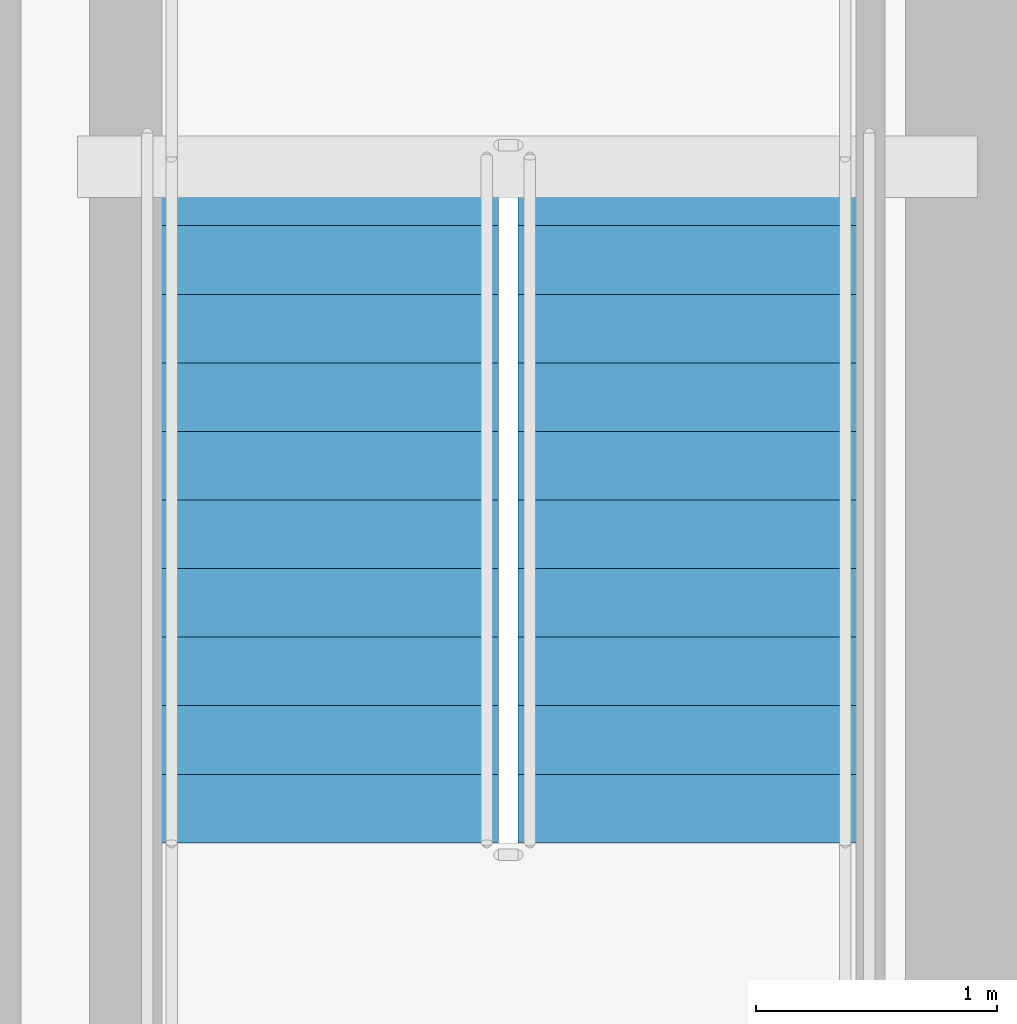
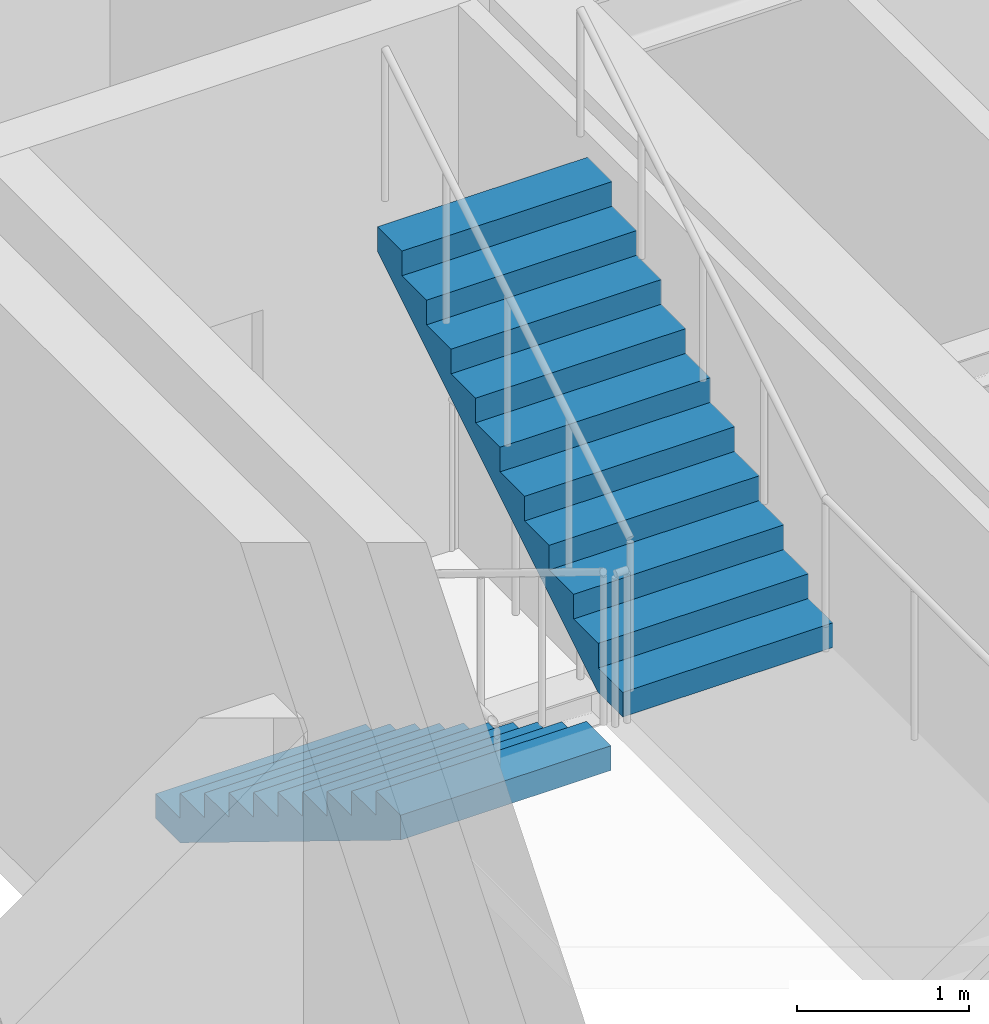
# One storey, part 17 of 20: 2 stair flights, 1 element without a shape of its own.
"""IFC4 building model written with IfcOpenShell, lengths in metres."""

from ifc_helpers import new_model, si_unit, direction, frame, origin, place, context, subcontext, project, spatial, polyline, outline, extrude, material, type_object, element, aggregate, save


model = new_model("IFC4")

# Units and contexts
model_context = context("Model", 3, precision=1e-05, world=origin(), true_north=direction((0.0, 1.0)))
body_context = subcontext(model_context, "Body", "Model", "MODEL_VIEW")
ifc_project = project(units=[si_unit("LENGTHUNIT", "METRE"), si_unit("AREAUNIT", "SQUARE_METRE"), si_unit("VOLUMEUNIT", "CUBIC_METRE"), si_unit("PLANEANGLEUNIT", "RADIAN"), si_unit("MASSUNIT", "GRAM", prefix="KILO")], contexts=[model_context])

# Site, building, storey
site_placement = place(None, origin())
site = spatial("IfcSite", under=ifc_project, at=site_placement, CompositionType="ELEMENT")
building_placement = place(site_placement, origin())
building = spatial("IfcBuilding", under=site, at=building_placement, Name="Bramvorn Convention Spire", CompositionType="ELEMENT")
storey_placement = place(building_placement, frame((0.0, 0.0, 303.64990234375)))
storey = spatial("IfcBuildingStorey", under=building, at=storey_placement, Name="L77", CompositionType="ELEMENT", Elevation=303.64990234375)

# Stair, stair flights
ifc_material_1 = material(Name="Concrete C40/50 Precast Stair", Category="concrete")
stair_type = type_object("IfcStairType", Name="ST-TOWER-1550", PredefinedType="HALF_TURN_STAIR", material=ifc_material_1)
stair_placement = place(storey_placement, origin())
stair = element("IfcStair", 1, at=stair_placement, inside=storey, type_object=stair_type, Name="L77 Protected Exit Stair ST2", PredefinedType="HALF_TURN_STAIR")
ifc_material_2 = material(Name="Concrete C40/50 Precast Stair Flight", Category="concrete")
stair_flight_type = type_object("IfcStairFlightType", Name="STF-TOWER-1550", PredefinedType="STRAIGHT", material=ifc_material_2)
stair_flight_1_placement = place(storey_placement, frame((46.35498046875, 25.050048828125, 0.0), z_axis=(0.0, 0.0, 1.0), x_axis=(0.0, -1.0, 0.0)))
stair_flight_1 = element("IfcStairFlight", 2, at=stair_flight_1_placement, type_object=stair_flight_type, Name="ST2 flight 1", NumberOfRisers=11, NumberOfTreads=10, PredefinedType="STRAIGHT", RiserHeight=0.175, TreadLength=0.285, context=body_context, shape_type="SweptSolid", body=[
    extrude(outline(polyline([(0.0, 0.0), (0.0, 0.175048828125), (0.284912109375, 0.175048828125), (0.284912109375, 0.35009765625), (0.570068359375, 0.35009765625), (0.570068359375, 0.52490234375), (0.85498046875, 0.52490234375), (0.85498046875, 0.699951171875), (1.139892578125, 0.699951171875), (1.139892578125, 0.875), (1.425048828125, 0.875), (1.425048828125, 1.050048828125), (1.7099609375, 1.050048828125), (1.7099609375, 1.22509765625), (1.9951171875, 1.22509765625), (1.9951171875, 1.39990234375), (2.280029296875, 1.39990234375), (2.280029296875, 1.574951171875), (2.56494140625, 1.574951171875), (2.56494140625, 1.75), (2.85009765625, 1.75), (2.85009765625, 1.925048828125), (2.85009765625, 1.573974609375), (0.286376953125, 0.0), (0.0, 0.0)])), frame((0.0, 0.705078125, 0.0), z_axis=(0.0, -1.0, 0.0), x_axis=(1.0, 0.0, 0.0)), (0.0, 0.0, 1.0), 1.409912109375),
])
stair_flight_2_placement = place(storey_placement, frame((47.844970703125, 22.199951171875, 1.925048828125), z_axis=(0.0, 0.0, 1.0), x_axis=(0.0, 1.0, 0.0)))
stair_flight_2 = element("IfcStairFlight", 3, at=stair_flight_2_placement, type_object=stair_flight_type, Name="ST2 flight 2", NumberOfRisers=11, NumberOfTreads=10, PredefinedType="STRAIGHT", RiserHeight=0.175, TreadLength=0.285, context=body_context, shape_type="SweptSolid", body=[
    extrude(outline(polyline([(0.0, 0.0), (0.0, 0.175048828125), (0.284912109375, 0.175048828125), (0.284912109375, 0.35009765625), (0.570068359375, 0.35009765625), (0.570068359375, 0.52490234375), (0.85498046875, 0.52490234375), (0.85498046875, 0.699951171875), (1.139892578125, 0.699951171875), (1.139892578125, 0.875), (1.425048828125, 0.875), (1.425048828125, 1.050048828125), (1.7099609375, 1.050048828125), (1.7099609375, 1.22509765625), (1.9951171875, 1.22509765625), (1.9951171875, 1.39990234375), (2.280029296875, 1.39990234375), (2.280029296875, 1.574951171875), (2.56494140625, 1.574951171875), (2.56494140625, 1.75), (2.85009765625, 1.75), (2.85009765625, 1.925048828125), (2.85009765625, 1.573974609375), (0.286376953125, 0.0), (0.0, 0.0)])), frame((0.0, 0.705078125, 0.0), z_axis=(0.0, -1.0, 0.0), x_axis=(1.0, 0.0, 0.0)), (0.0, 0.0, 1.0), 1.409912109375),
])
aggregate(stair, [stair_flight_1, stair_flight_2])

save(model, "model.ifc")
